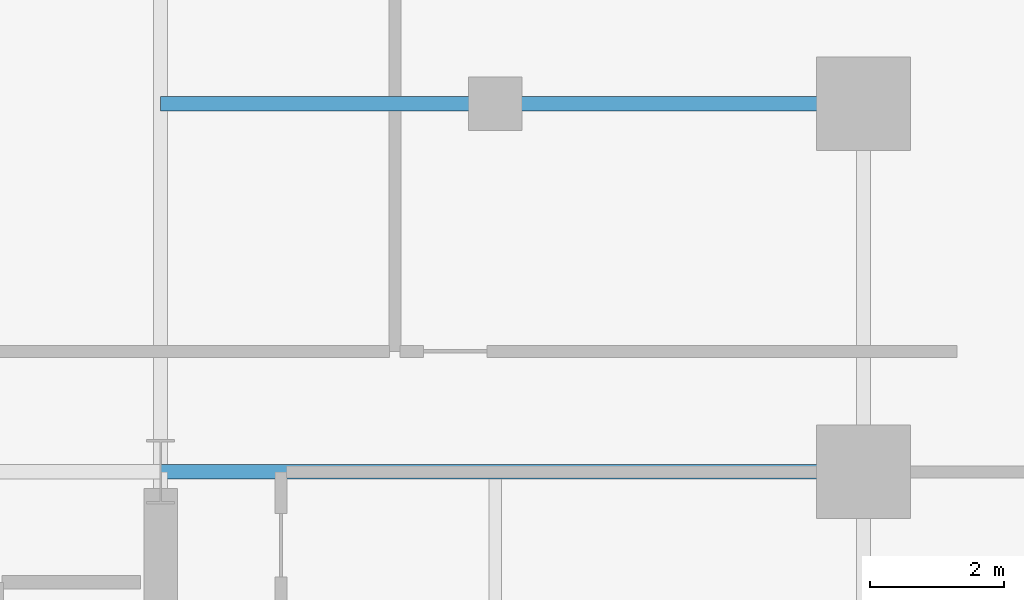
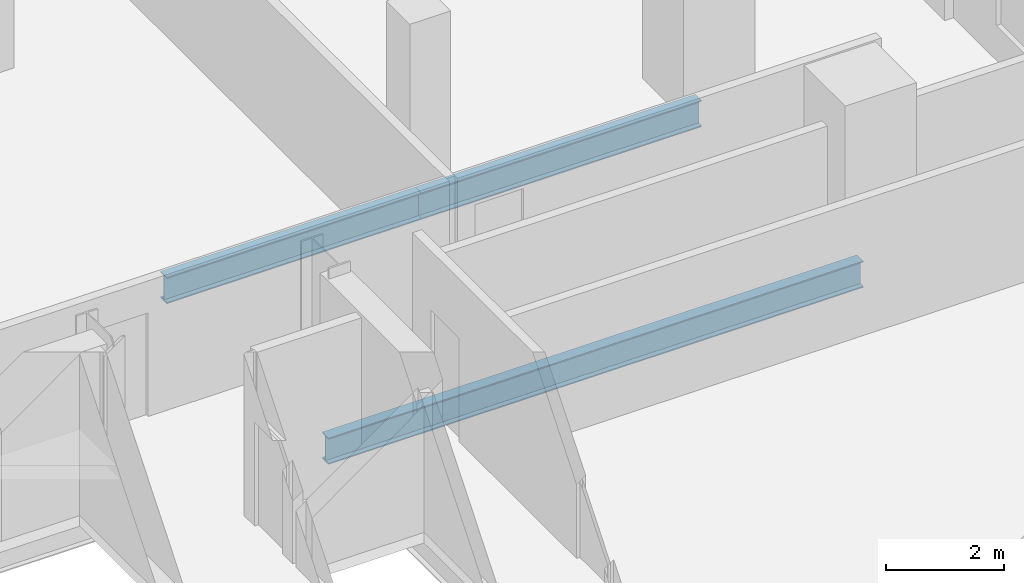
# One storey, part 18 of 26: 3 beams.
"""IFC4 building model written with IfcOpenShell, lengths in metres."""

import ifcopenshell
import ifcopenshell.guid

model = None  # the IFC model being written
_history = None  # IfcOwnerHistory: only IFC2X3 demands one
_inside = {}  # id of a spatial element -> (the spatial element, [elements in it])
_under = {}  # id of a project, library or spatial element -> (it, [spatial elements below it])
_declared = {}  # id of a project -> (the project, [libraries it declares])
_typed = {}  # id of a type object -> (the type object, [elements of that type])
_made_of = {}  # id of a material, layer set ... -> (it, [elements and type objects made of it])


def new_model(schema):
    """Start an empty IFC model of exactly this schema.

    Asked for "IFC4X3", IfcOpenShell would pick the latest addendum, in which some entities
    have other attributes; the version numbers below select the first issue.
    IFC2X3 requires an IfcOwnerHistory on every rooted entity: one is made here for all.
    """
    global model, _history
    if schema == "IFC4X3":
        model = ifcopenshell.file(schema_version=(4, 3, 0, 0))
    else:
        model = ifcopenshell.file(schema=schema)
    _inside.clear()
    _under.clear()
    _declared.clear()
    _typed.clear()
    _made_of.clear()
    _history = None
    if model.schema == "IFC2X3":
        org = make("IfcOrganization", Name="unknown")
        user = make(
            "IfcPersonAndOrganization",
            ThePerson=make("IfcPerson", FamilyName="unknown"),
            TheOrganization=org,
        )
        app = make(
            "IfcApplication",
            ApplicationDeveloper=org,
            Version="unknown",
            ApplicationFullName="unknown",
            ApplicationIdentifier="unknown",
        )
        _history = make(
            "IfcOwnerHistory",
            OwningUser=user,
            OwningApplication=app,
            ChangeAction="ADDED",
            CreationDate=0,
        )
    return model


def make(cls, **values):
    """One entity of the class cls with the attributes given. An attribute that is None is left unset."""
    return model.create_entity(
        cls, **{name: value for name, value in values.items() if value is not None}
    )


def rooted(cls, **values):
    """An entity with a GlobalId (a new one), such as an element, a storey or a relation."""
    return make(cls, GlobalId=ifcopenshell.guid.new(), OwnerHistory=_history, **values)


def si_unit(unit_type, name, prefix=None):
    """IfcSIUnit, for example si_unit("LENGTHUNIT", "METRE", prefix="MILLI")."""
    return make("IfcSIUnit", UnitType=unit_type, Prefix=prefix, Name=name)


def assignment(units):
    """IfcUnitAssignment: the units of a project."""
    return None if units is None else make("IfcUnitAssignment", Units=units)


def point(xyz):
    """IfcCartesianPoint."""
    return None if xyz is None else make("IfcCartesianPoint", Coordinates=xyz)


def direction(xyz):
    """IfcDirection."""
    return None if xyz is None else make("IfcDirection", DirectionRatios=xyz)


def frame(location, z_axis=None, x_axis=None):
    """IfcAxis2Placement3D, a coordinate frame: its origin and axes. An axis left out is left unset."""
    return make(
        "IfcAxis2Placement3D",
        Location=point(location),
        Axis=direction(z_axis),
        RefDirection=direction(x_axis),
    )


def frame_2d(location, x_axis=None):
    """IfcAxis2Placement2D, a coordinate frame in the plane: its origin and x axis."""
    return make(
        "IfcAxis2Placement2D", Location=point(location), RefDirection=direction(x_axis)
    )


def origin():
    """The frame at (0, 0, 0) with its axes left unset."""
    return frame((0.0, 0.0, 0.0))


def origin_2d():
    """The frame at (0, 0) in the plane with its x axis left unset."""
    return frame_2d((0.0, 0.0))


def place(relative_to, where):
    """IfcLocalPlacement: puts the frame where relative to a parent placement (None: the world)."""
    return make(
        "IfcLocalPlacement", PlacementRelTo=relative_to, RelativePlacement=where
    )


def context(
    kind, dimensions, precision=None, world=None, true_north=None, identifier=None
):
    """IfcGeometricRepresentationContext, for example the 3D "Model" context."""
    return make(
        "IfcGeometricRepresentationContext",
        ContextIdentifier=identifier,
        ContextType=kind,
        CoordinateSpaceDimension=dimensions,
        Precision=precision,
        WorldCoordinateSystem=world,
        TrueNorth=true_north,
    )


def subcontext(parent, identifier, kind, view, scale=None):
    """IfcGeometricRepresentationSubContext, for example "Body" below "Model"."""
    return make(
        "IfcGeometricRepresentationSubContext",
        ContextIdentifier=identifier,
        ContextType=kind,
        ParentContext=parent,
        TargetScale=scale,
        TargetView=view,
    )


def project(units=None, contexts=None):
    """IfcProject with its units and contexts."""
    return rooted(
        "IfcProject",
        Name="project",
        RepresentationContexts=contexts,
        UnitsInContext=assignment(units),
    )


def spatial(cls, under=None, at=None, **own):
    """A site, building, storey or space (cls), placed at a placement, below another one or the project."""
    s = rooted(cls, ObjectPlacement=at, **own)
    if under is not None:
        _under.setdefault(under.id(), (under, []))[1].append(s)
    return s


def profile(cls, at=None, kind="AREA", **sizes):
    """A parametric profile (cls). Its sizes go by their IFC names, for example OverallWidth=200.0."""
    return make(cls, ProfileType=kind, Position=at, **sizes)


def i_section(**sizes):
    """IfcIShapeProfileDef."""
    return profile("IfcIShapeProfileDef", **sizes)


def extrude(swept, where, along, depth):
    """IfcExtrudedAreaSolid: the profile swept, set in the frame where, extruded along a direction by depth."""
    return make(
        "IfcExtrudedAreaSolid",
        SweptArea=swept,
        Position=where,
        ExtrudedDirection=direction(along),
        Depth=depth,
    )


def shape(context_of_items, identifier, shape_type, items):
    """IfcShapeRepresentation: the items that make up one representation, for example the "Body"."""
    return make(
        "IfcShapeRepresentation",
        ContextOfItems=context_of_items,
        RepresentationIdentifier=identifier,
        RepresentationType=shape_type,
        Items=items,
    )


def material(Name=None, Category=None):
    """IfcMaterial."""
    return make("IfcMaterial", Name=Name, Category=Category)


def material_profile(
    of_material, cross_section, Name=None, Category=None, Priority=None
):
    """IfcMaterialProfile: a cross section and its material."""
    return make(
        "IfcMaterialProfile",
        Name=Name,
        Material=of_material,
        Profile=cross_section,
        Priority=Priority,
        Category=Category,
    )


def profile_set(profiles, Name=None, composite=None):
    """IfcMaterialProfileSet."""
    return make(
        "IfcMaterialProfileSet",
        Name=Name,
        MaterialProfiles=profiles,
        CompositeProfile=composite,
    )


def made_of(thing, what):
    """Note that an element or type object is made of a material, layer set ...; save() writes the relation."""
    if what is not None:
        _made_of.setdefault(what.id(), (what, []))[1].append(thing)
    return thing


def type_object(cls, material=None, **own):
    """A type object (cls), such as IfcWallType, which elements share."""
    return made_of(rooted(cls, **own), material)


def element(
    cls,
    number,
    at=None,
    inside=None,
    cuts=None,
    type_object=None,
    material=None,
    context=None,
    identifier="Body",
    shape_type=None,
    held_by="IfcProductDefinitionShape",
    body=None,
    shapes=None,
    **own,
):
    """One element of the class cls, such as IfcWall. Its Tag is "e" and its number.

    at: its placement. inside: the storey or other place that contains it. cuts: it is an
    opening in that element (IfcRelVoidsElement). A single representation is given by context,
    identifier, shape_type and body (its items); several are given by shapes. held_by: the class
    of the entity that holds the representations. save() writes the other relations.
    """
    e = rooted(cls, Tag="e%d" % number, ObjectPlacement=at, **own)
    if body is not None:
        shapes = [shape(context, identifier, shape_type, body)]
    if shapes is not None:
        e.Representation = make(held_by, Representations=shapes)
    if inside is not None:
        _inside.setdefault(inside.id(), (inside, []))[1].append(e)
    if cuts is not None:
        rooted(
            "IfcRelVoidsElement", RelatingBuildingElement=cuts, RelatedOpeningElement=e
        )
    if type_object is not None:
        _typed.setdefault(type_object.id(), (type_object, []))[1].append(e)
    return made_of(e, material)


def aggregate(whole, parts):
    """IfcRelAggregates: a whole, such as a stair, and the parts it consists of."""
    return rooted("IfcRelAggregates", RelatingObject=whole, RelatedObjects=parts)


def save(model, path):
    """Write the relations noted so far, then the file.

    IfcRelAggregates (storeys below a building ...), IfcRelContainedInSpatialStructure (elements
    in a storey), IfcRelDefinesByType, IfcRelAssociatesMaterial and IfcRelDeclares: one each for
    every whole, place, type object, material and project.
    """
    for whole, parts in _under.values():
        aggregate(whole, parts)
    for where, things in _inside.values():
        rooted(
            "IfcRelContainedInSpatialStructure",
            RelatedElements=things,
            RelatingStructure=where,
        )
    for kind, things in _typed.values():
        rooted("IfcRelDefinesByType", RelatedObjects=things, RelatingType=kind)
    for what, things in _made_of.values():
        rooted("IfcRelAssociatesMaterial", RelatedObjects=things, RelatingMaterial=what)
    for by, libraries in _declared.values():
        rooted("IfcRelDeclares", RelatingContext=by, RelatedDefinitions=libraries)
    model.write(path)


model = new_model("IFC4")

# Units and contexts
model_context = context("Model", 3, precision=1e-05, world=origin(), true_north=direction((0.0, 1.0)))
body_context = subcontext(model_context, "Body", "Model", "MODEL_VIEW")
ifc_project = project(units=[si_unit("LENGTHUNIT", "METRE"), si_unit("AREAUNIT", "SQUARE_METRE"), si_unit("VOLUMEUNIT", "CUBIC_METRE"), si_unit("PLANEANGLEUNIT", "RADIAN"), si_unit("MASSUNIT", "GRAM", prefix="KILO")], contexts=[model_context])

# Site, building, storey
site_placement = place(None, origin())
site = spatial("IfcSite", under=ifc_project, at=site_placement, CompositionType="ELEMENT")
building_placement = place(site_placement, origin())
building = spatial("IfcBuilding", under=site, at=building_placement, Name="Barlavira Tower and Art Museum", CompositionType="ELEMENT")
storey_placement = place(building_placement, frame((0.0, 0.0, 82.800048828125)))
storey = spatial("IfcBuildingStorey", under=building, at=storey_placement, Name="L20", CompositionType="ELEMENT", Elevation=82.800048828125)

# Beams
ifc_material = material(Name="Steel S355", Category="steel")
ifc_material_profile = material_profile(ifc_material, i_section(OverallWidth=0.214111328125, OverallDepth=0.549072265625, WebThickness=0.0146484375, FlangeThickness=0.023681640625, at=origin_2d()), Name="W530x138.0")
ifc_profile_set = profile_set([ifc_material_profile], Name="Steel S355")
beam_type = type_object("IfcBeamType", Name="Zone 1 Primary Floor Girder W530x138 Steel S355", PredefinedType="BEAM", material=ifc_profile_set)
beam_1_placement = place(storey_placement, frame((6.5, 7.5, -0.49462890625), z_axis=(1.0, 0.0, 0.0), x_axis=(0.0, 1.0, 0.0)))
element("IfcBeam", 1, at=beam_1_placement, inside=storey, type_object=beam_type, Name="L20 Girder R-E2", PredefinedType="BEAM", context=body_context, shape_type="SweptSolid", body=[
    extrude(i_section(OverallWidth=0.214111328125, OverallDepth=0.549072265625, WebThickness=0.0146484375, FlangeThickness=0.023681640625, at=origin_2d()), origin(), (0.0, 0.0, 1.0), 10.5),
])
beam_2_placement = place(storey_placement, frame((6.5, 13.0, -0.49462890625), z_axis=(1.0, 0.0, 0.0), x_axis=(0.0, 1.0, 0.0)))
element("IfcBeam", 2, at=beam_2_placement, inside=storey, type_object=beam_type, Name="L20 Girder I-N3", PredefinedType="BEAM", context=body_context, shape_type="SweptSolid", body=[
    extrude(i_section(OverallWidth=0.214111328125, OverallDepth=0.549072265625, WebThickness=0.0146484375, FlangeThickness=0.023681640625, at=origin_2d()), origin(), (0.0, 0.0, 1.0), 5.0),
])
beam_3_placement = place(storey_placement, frame((11.5, 13.0, -0.49462890625), z_axis=(1.0, 0.0, 0.0), x_axis=(0.0, 1.0, 0.0)))
element("IfcBeam", 3, at=beam_3_placement, inside=storey, type_object=beam_type, Name="L20 Girder I-N4", PredefinedType="BEAM", context=body_context, shape_type="SweptSolid", body=[
    extrude(i_section(OverallWidth=0.214111328125, OverallDepth=0.549072265625, WebThickness=0.0146484375, FlangeThickness=0.023681640625, at=origin_2d()), origin(), (0.0, 0.0, 1.0), 5.5),
])

save(model, "model.ifc")
